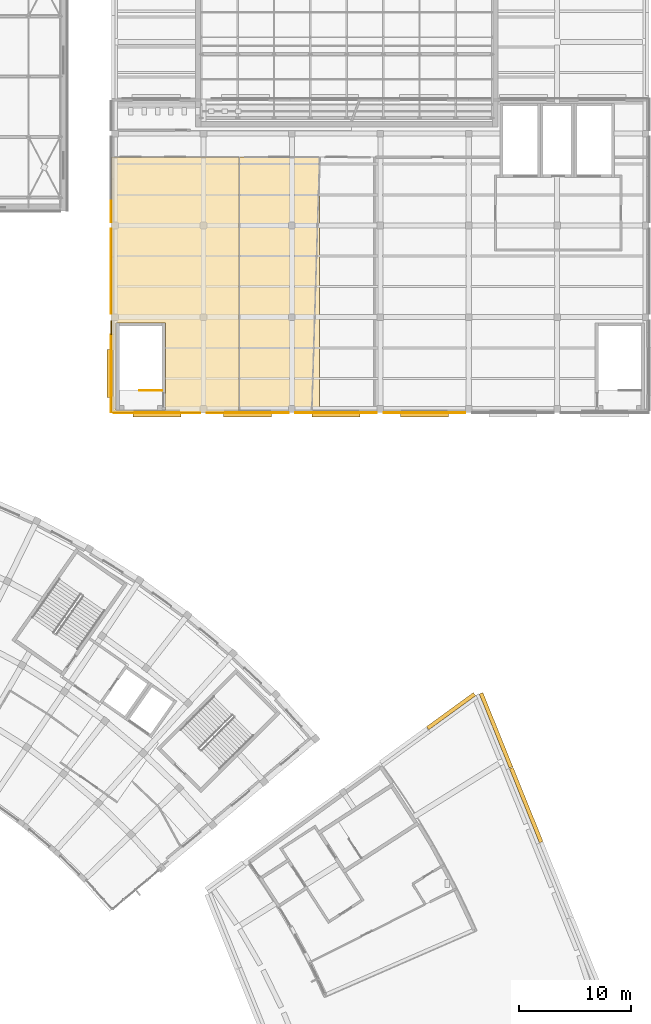
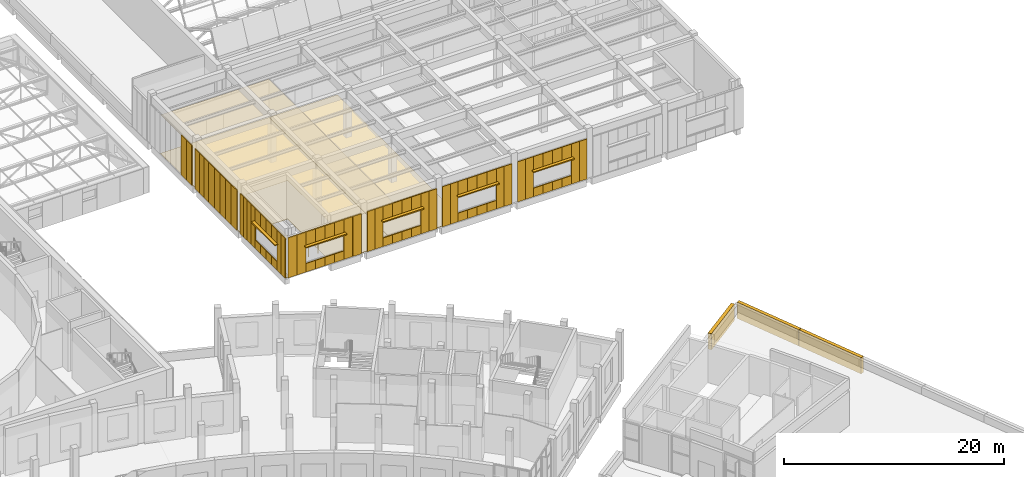
# One storey, part 128 of 132: 78 coverings, 5 shading devices, 1 railing.
"""IFC4 building model written with IfcOpenShell, lengths in metres."""

from ifc_helpers import new_model, si_unit, direction, frame, origin, origin_2d, place, context, subcontext, project, spatial, polyline, rectangle, circle, outline, extrude, material, layer, layer_set, type_object, element, save


model = new_model("IFC4")

# Units and contexts
model_context = context("Model", 3, precision=1e-05, world=origin(), true_north=direction((0.0, 1.0)))
body_context = subcontext(model_context, "Body", "Model", "MODEL_VIEW")
ifc_project = project(units=[si_unit("LENGTHUNIT", "METRE"), si_unit("AREAUNIT", "SQUARE_METRE"), si_unit("VOLUMEUNIT", "CUBIC_METRE"), si_unit("PLANEANGLEUNIT", "RADIAN"), si_unit("MASSUNIT", "GRAM", prefix="KILO")], contexts=[model_context])

# Site, building, storey
site_placement = place(None, origin())
site = spatial("IfcSite", under=ifc_project, at=site_placement, CompositionType="ELEMENT")
building_placement = place(site_placement, origin())
building = spatial("IfcBuilding", under=site, at=building_placement, Name="Lunette Opera House", CompositionType="ELEMENT")
storey_placement = place(building_placement, frame((0.0, 0.0, 17.0)))
storey = spatial("IfcBuildingStorey", under=building, at=storey_placement, Name="L03", CompositionType="ELEMENT", Elevation=17.0)

# Coverings
ifc_material_1 = material(Name="Dark grey aluminium cassette", Category="aluminium")
ifc_layer_1 = layer(ifc_material_1, 0.080078125)
ifc_layer_set_1 = layer_set([ifc_layer_1], Name="Dark grey aluminium cassette")
covering_type_1 = type_object("IfcCoveringType", Name="DARK METAL CASSETTE 80", PredefinedType="CLADDING", material=ifc_layer_set_1)
for number, where, z_axis, x_axis, name in (
    (1, (135.9599609375, 96.444091796875, 0.0), (0.0, 0.0, 1.0), (0.0, -1.0, 0.0), "Dark Metal Cassette 80 WK L03"),
    (2, (135.9599609375, 95.48095703125, 0.0), (0.0, 0.0, 1.0), (0.0, -1.0, 0.0), "Dark Metal Cassette 80 WK L03"),
):
    element("IfcCovering", number, at=place(storey_placement, frame(where, z_axis=z_axis, x_axis=x_axis)), inside=storey, type_object=covering_type_1, Name=name, PredefinedType="CLADDING", context=body_context, shape_type="SweptSolid", body=[
        extrude(rectangle(XDim=0.9619140625, YDim=0.080078125, at=origin_2d()), origin(), (0.0, 0.0, 1.0), 4.449951171875),
    ])
for number, where, z_axis, x_axis, name in (
    (3, (135.9599609375, 93.98291015625, 0.0), (0.0, 0.0, 1.0), (0.0, -1.0, 0.0), "Dark Metal Cassette 80 WK L03"),
    (4, (135.9599609375, 93.14990234375, 0.0), (0.0, 0.0, 1.0), (0.0, -1.0, 0.0), "Dark Metal Cassette 80 WK L03"),
    (5, (135.9599609375, 92.31689453125, 0.0), (0.0, 0.0, 1.0), (0.0, -1.0, 0.0), "Dark Metal Cassette 80 WK L03"),
):
    element("IfcCovering", number, at=place(storey_placement, frame(where, z_axis=z_axis, x_axis=x_axis)), inside=storey, type_object=covering_type_1, Name=name, PredefinedType="CLADDING", context=body_context, shape_type="SweptSolid", body=[
        extrude(rectangle(XDim=0.8330078125, YDim=0.080078125, at=origin_2d()), origin(), (0.0, 0.0, 1.0), 4.449951171875),
    ])
for number, where, z_axis, x_axis, name in (
    (6, (135.9599609375, 91.389892578125, 0.0), (0.0, 0.0, 1.0), (0.0, -1.0, 0.0), "Dark Metal Cassette 80 WK L03"),
    (7, (135.9599609375, 90.3701171875, 0.0), (0.0, 0.0, 1.0), (0.0, -1.0, 0.0), "Dark Metal Cassette 80 WK L03"),
    (8, (135.9599609375, 89.35009765625, 0.0), (0.0, 0.0, 1.0), (0.0, -1.0, 0.0), "Dark Metal Cassette 80 WK L03"),
    (9, (135.9599609375, 88.330078125, 0.0), (0.0, 0.0, 1.0), (0.0, -1.0, 0.0), "Dark Metal Cassette 80 WK L03"),
    (10, (135.9599609375, 87.31005859375, 0.0), (0.0, 0.0, 1.0), (0.0, -1.0, 0.0), "Dark Metal Cassette 80 WK L03"),
):
    element("IfcCovering", number, at=place(storey_placement, frame(where, z_axis=z_axis, x_axis=x_axis)), inside=storey, type_object=covering_type_1, Name=name, PredefinedType="CLADDING", context=body_context, shape_type="SweptSolid", body=[
        extrude(rectangle(XDim=1.02001953125, YDim=0.080078125, at=origin_2d()), origin(), (0.0, 0.0, 1.0), 4.449951171875),
    ])
for number, where, z_axis, x_axis, name in (
    (11, (135.9599609375, 85.887939453125, 0.0), (0.0, 0.0, 1.0), (0.0, -1.0, 0.0), "Dark Metal Cassette 80 WK L03"),
    (12, (135.9599609375, 85.262939453125, 0.0), (0.0, 0.0, 1.0), (0.0, -1.0, 0.0), "Dark Metal Cassette 80 WK L03"),
):
    element("IfcCovering", number, at=place(storey_placement, frame(where, z_axis=z_axis, x_axis=x_axis)), inside=storey, type_object=covering_type_1, Name=name, PredefinedType="CLADDING", context=body_context, shape_type="SweptSolid", body=[
        extrude(rectangle(XDim=0.625, YDim=0.080078125, at=origin_2d()), origin(), (0.0, 0.0, 1.0), 4.449951171875),
    ])
for number, where, z_axis, x_axis, name in (
    (13, (135.9599609375, 84.5810546875, 0.0), (0.0, 0.0, 1.0), (0.0, -1.0, 0.0), "Dark Metal Cassette 80 WK L03"),
    (14, (135.9599609375, 83.843994140625, 0.0), (0.0, 0.0, 1.0), (0.0, -1.0, 0.0), "Dark Metal Cassette 80 WK L03"),
):
    element("IfcCovering", number, at=place(storey_placement, frame(where, z_axis=z_axis, x_axis=x_axis)), inside=storey, type_object=covering_type_1, Name=name, PredefinedType="CLADDING", context=body_context, shape_type="SweptSolid", body=[
        extrude(rectangle(XDim=0.738037109375, YDim=0.080078125, at=origin_2d()), origin(), (0.0, 0.0, 1.0), 4.449951171875),
    ])
covering_1_placement = place(storey_placement, frame((135.9599609375, 82.97509765625, 0.0), z_axis=(0.0, 0.0, 1.0), x_axis=(0.0, -1.0, 0.0)))
element("IfcCovering", 15, at=covering_1_placement, inside=storey, type_object=covering_type_1, Name="Dark Metal Cassette 80 WK L03", PredefinedType="CLADDING", context=body_context, shape_type="SweptSolid", body=[
    extrude(rectangle(XDim=1.0, YDim=0.080078125, at=origin_2d()), origin(), (0.0, 0.0, 1.0), 0.949951171875),
])
covering_2_placement = place(storey_placement, frame((135.9599609375, 82.97509765625, 3.0), z_axis=(0.0, 0.0, 1.0), x_axis=(0.0, -1.0, 0.0)))
element("IfcCovering", 16, at=covering_2_placement, inside=storey, type_object=covering_type_1, Name="Dark Metal Cassette 80 WK L03", PredefinedType="CLADDING", context=body_context, shape_type="SweptSolid", body=[
    extrude(rectangle(XDim=1.0, YDim=0.080078125, at=origin_2d()), origin(), (0.0, 0.0, 1.0), 1.449951171875),
])
covering_3_placement = place(storey_placement, frame((135.9599609375, 81.97509765625, 0.0), z_axis=(0.0, 0.0, 1.0), x_axis=(0.0, -1.0, 0.0)))
element("IfcCovering", 17, at=covering_3_placement, inside=storey, type_object=covering_type_1, Name="Dark Metal Cassette 80 WK L03", PredefinedType="CLADDING", context=body_context, shape_type="SweptSolid", body=[
    extrude(rectangle(XDim=1.0, YDim=0.080078125, at=origin_2d()), origin(), (0.0, 0.0, 1.0), 0.949951171875),
])
covering_4_placement = place(storey_placement, frame((135.9599609375, 81.97509765625, 3.0), z_axis=(0.0, 0.0, 1.0), x_axis=(0.0, -1.0, 0.0)))
element("IfcCovering", 18, at=covering_4_placement, inside=storey, type_object=covering_type_1, Name="Dark Metal Cassette 80 WK L03", PredefinedType="CLADDING", context=body_context, shape_type="SweptSolid", body=[
    extrude(rectangle(XDim=1.0, YDim=0.080078125, at=origin_2d()), origin(), (0.0, 0.0, 1.0), 1.449951171875),
])
covering_5_placement = place(storey_placement, frame((135.9599609375, 80.97509765625, 0.0), z_axis=(0.0, 0.0, 1.0), x_axis=(0.0, -1.0, 0.0)))
element("IfcCovering", 19, at=covering_5_placement, inside=storey, type_object=covering_type_1, Name="Dark Metal Cassette 80 WK L03", PredefinedType="CLADDING", context=body_context, shape_type="SweptSolid", body=[
    extrude(rectangle(XDim=1.0, YDim=0.080078125, at=origin_2d()), origin(), (0.0, 0.0, 1.0), 0.949951171875),
])
covering_6_placement = place(storey_placement, frame((135.9599609375, 80.97509765625, 3.0), z_axis=(0.0, 0.0, 1.0), x_axis=(0.0, -1.0, 0.0)))
element("IfcCovering", 20, at=covering_6_placement, inside=storey, type_object=covering_type_1, Name="Dark Metal Cassette 80 WK L03", PredefinedType="CLADDING", context=body_context, shape_type="SweptSolid", body=[
    extrude(rectangle(XDim=1.0, YDim=0.080078125, at=origin_2d()), origin(), (0.0, 0.0, 1.0), 1.449951171875),
])
covering_7_placement = place(storey_placement, frame((135.9599609375, 79.97509765625, 0.0), z_axis=(0.0, 0.0, 1.0), x_axis=(0.0, -1.0, 0.0)))
element("IfcCovering", 21, at=covering_7_placement, inside=storey, type_object=covering_type_1, Name="Dark Metal Cassette 80 WK L03", PredefinedType="CLADDING", context=body_context, shape_type="SweptSolid", body=[
    extrude(rectangle(XDim=1.0, YDim=0.080078125, at=origin_2d()), origin(), (0.0, 0.0, 1.0), 0.949951171875),
])
covering_8_placement = place(storey_placement, frame((135.9599609375, 79.97509765625, 3.0), z_axis=(0.0, 0.0, 1.0), x_axis=(0.0, -1.0, 0.0)))
element("IfcCovering", 22, at=covering_8_placement, inside=storey, type_object=covering_type_1, Name="Dark Metal Cassette 80 WK L03", PredefinedType="CLADDING", context=body_context, shape_type="SweptSolid", body=[
    extrude(rectangle(XDim=1.0, YDim=0.080078125, at=origin_2d()), origin(), (0.0, 0.0, 1.0), 1.449951171875),
])
for number, where, z_axis, x_axis, name in (
    (23, (135.9599609375, 79.10595703125, 0.0), (0.0, 0.0, 1.0), (0.0, -1.0, 0.0), "Dark Metal Cassette 80 WK L03"),
    (24, (135.9599609375, 78.368896484375, 0.0), (0.0, 0.0, 1.0), (0.0, -1.0, 0.0), "Dark Metal Cassette 80 WK L03"),
):
    element("IfcCovering", number, at=place(storey_placement, frame(where, z_axis=z_axis, x_axis=x_axis)), inside=storey, type_object=covering_type_1, Name=name, PredefinedType="CLADDING", context=body_context, shape_type="SweptSolid", body=[
        extrude(rectangle(XDim=0.738037109375, YDim=0.080078125, at=origin_2d()), origin(), (0.0, 0.0, 1.0), 4.449951171875),
    ])
for number, where, z_axis, x_axis, name in (
    (25, (136.662109375, 77.9599609375, 0.0), (0.0, 0.0, 1.0), (1.0, 0.0, 0.0), "Dark Metal Cassette 80 WK L03"),
    (26, (137.5869140625, 77.9599609375, 0.0), (0.0, 0.0, 1.0), (1.0, 0.0, 0.0), "Dark Metal Cassette 80 WK L03"),
):
    element("IfcCovering", number, at=place(storey_placement, frame(where, z_axis=z_axis, x_axis=x_axis)), inside=storey, type_object=covering_type_1, Name=name, PredefinedType="CLADDING", context=body_context, shape_type="SweptSolid", body=[
        extrude(rectangle(XDim=0.925048828125, YDim=0.080078125, at=origin_2d()), origin(), (0.0, 0.0, 1.0), 4.449951171875),
    ])
covering_9_placement = place(storey_placement, frame((138.550048828125, 77.9599609375, 0.0), z_axis=(0.0, 0.0, 1.0), x_axis=(1.0, 0.0, 0.0)))
element("IfcCovering", 27, at=covering_9_placement, inside=storey, type_object=covering_type_1, Name="Dark Metal Cassette 80 WK L03", PredefinedType="CLADDING", context=body_context, shape_type="SweptSolid", body=[
    extrude(rectangle(XDim=1.0, YDim=0.080078125, at=origin_2d()), origin(), (0.0, 0.0, 1.0), 0.949951171875),
])
covering_10_placement = place(storey_placement, frame((138.550048828125, 77.9599609375, 3.0), z_axis=(0.0, 0.0, 1.0), x_axis=(1.0, 0.0, 0.0)))
element("IfcCovering", 28, at=covering_10_placement, inside=storey, type_object=covering_type_1, Name="Dark Metal Cassette 80 WK L03", PredefinedType="CLADDING", context=body_context, shape_type="SweptSolid", body=[
    extrude(rectangle(XDim=1.0, YDim=0.080078125, at=origin_2d()), origin(), (0.0, 0.0, 1.0), 1.449951171875),
])
covering_11_placement = place(storey_placement, frame((139.550048828125, 77.9599609375, 0.0), z_axis=(0.0, 0.0, 1.0), x_axis=(1.0, 0.0, 0.0)))
element("IfcCovering", 29, at=covering_11_placement, inside=storey, type_object=covering_type_1, Name="Dark Metal Cassette 80 WK L03", PredefinedType="CLADDING", context=body_context, shape_type="SweptSolid", body=[
    extrude(rectangle(XDim=1.0, YDim=0.080078125, at=origin_2d()), origin(), (0.0, 0.0, 1.0), 0.949951171875),
])
covering_12_placement = place(storey_placement, frame((139.550048828125, 77.9599609375, 3.0), z_axis=(0.0, 0.0, 1.0), x_axis=(1.0, 0.0, 0.0)))
element("IfcCovering", 30, at=covering_12_placement, inside=storey, type_object=covering_type_1, Name="Dark Metal Cassette 80 WK L03", PredefinedType="CLADDING", context=body_context, shape_type="SweptSolid", body=[
    extrude(rectangle(XDim=1.0, YDim=0.080078125, at=origin_2d()), origin(), (0.0, 0.0, 1.0), 1.449951171875),
])
covering_13_placement = place(storey_placement, frame((140.550048828125, 77.9599609375, 0.0), z_axis=(0.0, 0.0, 1.0), x_axis=(1.0, 0.0, 0.0)))
element("IfcCovering", 31, at=covering_13_placement, inside=storey, type_object=covering_type_1, Name="Dark Metal Cassette 80 WK L03", PredefinedType="CLADDING", context=body_context, shape_type="SweptSolid", body=[
    extrude(rectangle(XDim=1.0, YDim=0.080078125, at=origin_2d()), origin(), (0.0, 0.0, 1.0), 0.949951171875),
])
covering_14_placement = place(storey_placement, frame((140.550048828125, 77.9599609375, 3.0), z_axis=(0.0, 0.0, 1.0), x_axis=(1.0, 0.0, 0.0)))
element("IfcCovering", 32, at=covering_14_placement, inside=storey, type_object=covering_type_1, Name="Dark Metal Cassette 80 WK L03", PredefinedType="CLADDING", context=body_context, shape_type="SweptSolid", body=[
    extrude(rectangle(XDim=1.0, YDim=0.080078125, at=origin_2d()), origin(), (0.0, 0.0, 1.0), 1.449951171875),
])
covering_15_placement = place(storey_placement, frame((141.550048828125, 77.9599609375, 0.0), z_axis=(0.0, 0.0, 1.0), x_axis=(1.0, 0.0, 0.0)))
element("IfcCovering", 33, at=covering_15_placement, inside=storey, type_object=covering_type_1, Name="Dark Metal Cassette 80 WK L03", PredefinedType="CLADDING", context=body_context, shape_type="SweptSolid", body=[
    extrude(rectangle(XDim=1.0, YDim=0.080078125, at=origin_2d()), origin(), (0.0, 0.0, 1.0), 0.949951171875),
])
covering_16_placement = place(storey_placement, frame((141.550048828125, 77.9599609375, 3.0), z_axis=(0.0, 0.0, 1.0), x_axis=(1.0, 0.0, 0.0)))
element("IfcCovering", 34, at=covering_16_placement, inside=storey, type_object=covering_type_1, Name="Dark Metal Cassette 80 WK L03", PredefinedType="CLADDING", context=body_context, shape_type="SweptSolid", body=[
    extrude(rectangle(XDim=1.0, YDim=0.080078125, at=origin_2d()), origin(), (0.0, 0.0, 1.0), 1.449951171875),
])
for number, where, z_axis, x_axis, name in (
    (35, (142.511962890625, 77.9599609375, 0.0), (0.0, 0.0, 1.0), (1.0, 0.0, 0.0), "Dark Metal Cassette 80 WK L03"),
    (36, (143.43798828125, 77.9599609375, 0.0), (0.0, 0.0, 1.0), (1.0, 0.0, 0.0), "Dark Metal Cassette 80 WK L03"),
):
    element("IfcCovering", number, at=place(storey_placement, frame(where, z_axis=z_axis, x_axis=x_axis)), inside=storey, type_object=covering_type_1, Name=name, PredefinedType="CLADDING", context=body_context, shape_type="SweptSolid", body=[
        extrude(rectangle(XDim=0.925048828125, YDim=0.080078125, at=origin_2d()), origin(), (0.0, 0.0, 1.0), 4.449951171875),
    ])
for number, where, z_axis, x_axis, name in (
    (37, (144.912109375, 77.9599609375, 0.0), (0.0, 0.0, 1.0), (1.0, 0.0, 0.0), "Dark Metal Cassette 80 WK L03"),
    (38, (145.738037109375, 77.9599609375, 0.0), (0.0, 0.0, 1.0), (1.0, 0.0, 0.0), "Dark Metal Cassette 80 WK L03"),
):
    element("IfcCovering", number, at=place(storey_placement, frame(where, z_axis=z_axis, x_axis=x_axis)), inside=storey, type_object=covering_type_1, Name=name, PredefinedType="CLADDING", context=body_context, shape_type="SweptSolid", body=[
        extrude(rectangle(XDim=0.824951171875, YDim=0.080078125, at=origin_2d()), origin(), (0.0, 0.0, 1.0), 4.449951171875),
    ])
covering_17_placement = place(storey_placement, frame((146.64990234375, 77.9599609375, 0.0), z_axis=(0.0, 0.0, 1.0), x_axis=(1.0, 0.0, 0.0)))
element("IfcCovering", 39, at=covering_17_placement, inside=storey, type_object=covering_type_1, Name="Dark Metal Cassette 80 WK L03", PredefinedType="CLADDING", context=body_context, shape_type="SweptSolid", body=[
    extrude(rectangle(XDim=1.0, YDim=0.080078125, at=origin_2d()), origin(), (0.0, 0.0, 1.0), 0.949951171875),
])
covering_18_placement = place(storey_placement, frame((146.64990234375, 77.9599609375, 3.0), z_axis=(0.0, 0.0, 1.0), x_axis=(1.0, 0.0, 0.0)))
element("IfcCovering", 40, at=covering_18_placement, inside=storey, type_object=covering_type_1, Name="Dark Metal Cassette 80 WK L03", PredefinedType="CLADDING", context=body_context, shape_type="SweptSolid", body=[
    extrude(rectangle(XDim=1.0, YDim=0.080078125, at=origin_2d()), origin(), (0.0, 0.0, 1.0), 1.449951171875),
])
covering_19_placement = place(storey_placement, frame((147.64990234375, 77.9599609375, 0.0), z_axis=(0.0, 0.0, 1.0), x_axis=(1.0, 0.0, 0.0)))
element("IfcCovering", 41, at=covering_19_placement, inside=storey, type_object=covering_type_1, Name="Dark Metal Cassette 80 WK L03", PredefinedType="CLADDING", context=body_context, shape_type="SweptSolid", body=[
    extrude(rectangle(XDim=1.0, YDim=0.080078125, at=origin_2d()), origin(), (0.0, 0.0, 1.0), 0.949951171875),
])
covering_20_placement = place(storey_placement, frame((147.64990234375, 77.9599609375, 3.0), z_axis=(0.0, 0.0, 1.0), x_axis=(1.0, 0.0, 0.0)))
element("IfcCovering", 42, at=covering_20_placement, inside=storey, type_object=covering_type_1, Name="Dark Metal Cassette 80 WK L03", PredefinedType="CLADDING", context=body_context, shape_type="SweptSolid", body=[
    extrude(rectangle(XDim=1.0, YDim=0.080078125, at=origin_2d()), origin(), (0.0, 0.0, 1.0), 1.449951171875),
])
covering_21_placement = place(storey_placement, frame((148.64990234375, 77.9599609375, 0.0), z_axis=(0.0, 0.0, 1.0), x_axis=(1.0, 0.0, 0.0)))
element("IfcCovering", 43, at=covering_21_placement, inside=storey, type_object=covering_type_1, Name="Dark Metal Cassette 80 WK L03", PredefinedType="CLADDING", context=body_context, shape_type="SweptSolid", body=[
    extrude(rectangle(XDim=1.0, YDim=0.080078125, at=origin_2d()), origin(), (0.0, 0.0, 1.0), 0.949951171875),
])
covering_22_placement = place(storey_placement, frame((148.64990234375, 77.9599609375, 3.0), z_axis=(0.0, 0.0, 1.0), x_axis=(1.0, 0.0, 0.0)))
element("IfcCovering", 44, at=covering_22_placement, inside=storey, type_object=covering_type_1, Name="Dark Metal Cassette 80 WK L03", PredefinedType="CLADDING", context=body_context, shape_type="SweptSolid", body=[
    extrude(rectangle(XDim=1.0, YDim=0.080078125, at=origin_2d()), origin(), (0.0, 0.0, 1.0), 1.449951171875),
])
covering_23_placement = place(storey_placement, frame((149.64990234375, 77.9599609375, 0.0), z_axis=(0.0, 0.0, 1.0), x_axis=(1.0, 0.0, 0.0)))
element("IfcCovering", 45, at=covering_23_placement, inside=storey, type_object=covering_type_1, Name="Dark Metal Cassette 80 WK L03", PredefinedType="CLADDING", context=body_context, shape_type="SweptSolid", body=[
    extrude(rectangle(XDim=1.0, YDim=0.080078125, at=origin_2d()), origin(), (0.0, 0.0, 1.0), 0.949951171875),
])
covering_24_placement = place(storey_placement, frame((149.64990234375, 77.9599609375, 3.0), z_axis=(0.0, 0.0, 1.0), x_axis=(1.0, 0.0, 0.0)))
element("IfcCovering", 46, at=covering_24_placement, inside=storey, type_object=covering_type_1, Name="Dark Metal Cassette 80 WK L03", PredefinedType="CLADDING", context=body_context, shape_type="SweptSolid", body=[
    extrude(rectangle(XDim=1.0, YDim=0.080078125, at=origin_2d()), origin(), (0.0, 0.0, 1.0), 1.449951171875),
])
for number, where, z_axis, x_axis, name in (
    (47, (150.56201171875, 77.9599609375, 0.0), (0.0, 0.0, 1.0), (1.0, 0.0, 0.0), "Dark Metal Cassette 80 WK L03"),
    (48, (151.387939453125, 77.9599609375, 0.0), (0.0, 0.0, 1.0), (1.0, 0.0, 0.0), "Dark Metal Cassette 80 WK L03"),
    (49, (152.81201171875, 77.9599609375, 0.0), (0.0, 0.0, 1.0), (1.0, 0.0, 0.0), "Dark Metal Cassette 80 WK L03"),
    (50, (153.637939453125, 77.9599609375, 0.0), (0.0, 0.0, 1.0), (1.0, 0.0, 0.0), "Dark Metal Cassette 80 WK L03"),
):
    element("IfcCovering", number, at=place(storey_placement, frame(where, z_axis=z_axis, x_axis=x_axis)), inside=storey, type_object=covering_type_1, Name=name, PredefinedType="CLADDING", context=body_context, shape_type="SweptSolid", body=[
        extrude(rectangle(XDim=0.824951171875, YDim=0.080078125, at=origin_2d()), origin(), (0.0, 0.0, 1.0), 4.449951171875),
    ])
covering_25_placement = place(storey_placement, frame((154.550048828125, 77.9599609375, 0.0), z_axis=(0.0, 0.0, 1.0), x_axis=(1.0, 0.0, 0.0)))
element("IfcCovering", 51, at=covering_25_placement, inside=storey, type_object=covering_type_1, Name="Dark Metal Cassette 80 WK L03", PredefinedType="CLADDING", context=body_context, shape_type="SweptSolid", body=[
    extrude(rectangle(XDim=1.0, YDim=0.080078125, at=origin_2d()), origin(), (0.0, 0.0, 1.0), 0.949951171875),
])
covering_26_placement = place(storey_placement, frame((154.550048828125, 77.9599609375, 3.0), z_axis=(0.0, 0.0, 1.0), x_axis=(1.0, 0.0, 0.0)))
element("IfcCovering", 52, at=covering_26_placement, inside=storey, type_object=covering_type_1, Name="Dark Metal Cassette 80 WK L03", PredefinedType="CLADDING", context=body_context, shape_type="SweptSolid", body=[
    extrude(rectangle(XDim=1.0, YDim=0.080078125, at=origin_2d()), origin(), (0.0, 0.0, 1.0), 1.449951171875),
])
covering_27_placement = place(storey_placement, frame((155.550048828125, 77.9599609375, 0.0), z_axis=(0.0, 0.0, 1.0), x_axis=(1.0, 0.0, 0.0)))
element("IfcCovering", 53, at=covering_27_placement, inside=storey, type_object=covering_type_1, Name="Dark Metal Cassette 80 WK L03", PredefinedType="CLADDING", context=body_context, shape_type="SweptSolid", body=[
    extrude(rectangle(XDim=1.0, YDim=0.080078125, at=origin_2d()), origin(), (0.0, 0.0, 1.0), 0.949951171875),
])
covering_28_placement = place(storey_placement, frame((155.550048828125, 77.9599609375, 3.0), z_axis=(0.0, 0.0, 1.0), x_axis=(1.0, 0.0, 0.0)))
element("IfcCovering", 54, at=covering_28_placement, inside=storey, type_object=covering_type_1, Name="Dark Metal Cassette 80 WK L03", PredefinedType="CLADDING", context=body_context, shape_type="SweptSolid", body=[
    extrude(rectangle(XDim=1.0, YDim=0.080078125, at=origin_2d()), origin(), (0.0, 0.0, 1.0), 1.449951171875),
])
covering_29_placement = place(storey_placement, frame((156.550048828125, 77.9599609375, 0.0), z_axis=(0.0, 0.0, 1.0), x_axis=(1.0, 0.0, 0.0)))
element("IfcCovering", 55, at=covering_29_placement, inside=storey, type_object=covering_type_1, Name="Dark Metal Cassette 80 WK L03", PredefinedType="CLADDING", context=body_context, shape_type="SweptSolid", body=[
    extrude(rectangle(XDim=1.0, YDim=0.080078125, at=origin_2d()), origin(), (0.0, 0.0, 1.0), 0.949951171875),
])
covering_30_placement = place(storey_placement, frame((156.550048828125, 77.9599609375, 3.0), z_axis=(0.0, 0.0, 1.0), x_axis=(1.0, 0.0, 0.0)))
element("IfcCovering", 56, at=covering_30_placement, inside=storey, type_object=covering_type_1, Name="Dark Metal Cassette 80 WK L03", PredefinedType="CLADDING", context=body_context, shape_type="SweptSolid", body=[
    extrude(rectangle(XDim=1.0, YDim=0.080078125, at=origin_2d()), origin(), (0.0, 0.0, 1.0), 1.449951171875),
])
covering_31_placement = place(storey_placement, frame((157.550048828125, 77.9599609375, 0.0), z_axis=(0.0, 0.0, 1.0), x_axis=(1.0, 0.0, 0.0)))
element("IfcCovering", 57, at=covering_31_placement, inside=storey, type_object=covering_type_1, Name="Dark Metal Cassette 80 WK L03", PredefinedType="CLADDING", context=body_context, shape_type="SweptSolid", body=[
    extrude(rectangle(XDim=1.0, YDim=0.080078125, at=origin_2d()), origin(), (0.0, 0.0, 1.0), 0.949951171875),
])
covering_32_placement = place(storey_placement, frame((157.550048828125, 77.9599609375, 3.0), z_axis=(0.0, 0.0, 1.0), x_axis=(1.0, 0.0, 0.0)))
element("IfcCovering", 58, at=covering_32_placement, inside=storey, type_object=covering_type_1, Name="Dark Metal Cassette 80 WK L03", PredefinedType="CLADDING", context=body_context, shape_type="SweptSolid", body=[
    extrude(rectangle(XDim=1.0, YDim=0.080078125, at=origin_2d()), origin(), (0.0, 0.0, 1.0), 1.449951171875),
])
for number, where, z_axis, x_axis, name in (
    (59, (158.462890625, 77.9599609375, 0.0), (0.0, 0.0, 1.0), (1.0, 0.0, 0.0), "Dark Metal Cassette 80 WK L03"),
    (60, (159.287109375, 77.9599609375, 0.0), (0.0, 0.0, 1.0), (1.0, 0.0, 0.0), "Dark Metal Cassette 80 WK L03"),
    (61, (160.712890625, 77.9599609375, 0.0), (0.0, 0.0, 1.0), (1.0, 0.0, 0.0), "Dark Metal Cassette 80 WK L03"),
    (62, (161.5380859375, 77.9599609375, 0.0), (0.0, 0.0, 1.0), (1.0, 0.0, 0.0), "Dark Metal Cassette 80 WK L03"),
):
    element("IfcCovering", number, at=place(storey_placement, frame(where, z_axis=z_axis, x_axis=x_axis)), inside=storey, type_object=covering_type_1, Name=name, PredefinedType="CLADDING", context=body_context, shape_type="SweptSolid", body=[
        extrude(rectangle(XDim=0.824951171875, YDim=0.080078125, at=origin_2d()), origin(), (0.0, 0.0, 1.0), 4.449951171875),
    ])
covering_33_placement = place(storey_placement, frame((162.449951171875, 77.9599609375, 0.0), z_axis=(0.0, 0.0, 1.0), x_axis=(1.0, 0.0, 0.0)))
element("IfcCovering", 63, at=covering_33_placement, inside=storey, type_object=covering_type_1, Name="Dark Metal Cassette 80 WK L03", PredefinedType="CLADDING", context=body_context, shape_type="SweptSolid", body=[
    extrude(rectangle(XDim=1.0, YDim=0.080078125, at=origin_2d()), origin(), (0.0, 0.0, 1.0), 0.949951171875),
])
covering_34_placement = place(storey_placement, frame((162.449951171875, 77.9599609375, 3.0), z_axis=(0.0, 0.0, 1.0), x_axis=(1.0, 0.0, 0.0)))
element("IfcCovering", 64, at=covering_34_placement, inside=storey, type_object=covering_type_1, Name="Dark Metal Cassette 80 WK L03", PredefinedType="CLADDING", context=body_context, shape_type="SweptSolid", body=[
    extrude(rectangle(XDim=1.0, YDim=0.080078125, at=origin_2d()), origin(), (0.0, 0.0, 1.0), 1.449951171875),
])
covering_35_placement = place(storey_placement, frame((163.449951171875, 77.9599609375, 0.0), z_axis=(0.0, 0.0, 1.0), x_axis=(1.0, 0.0, 0.0)))
element("IfcCovering", 65, at=covering_35_placement, inside=storey, type_object=covering_type_1, Name="Dark Metal Cassette 80 WK L03", PredefinedType="CLADDING", context=body_context, shape_type="SweptSolid", body=[
    extrude(rectangle(XDim=1.0, YDim=0.080078125, at=origin_2d()), origin(), (0.0, 0.0, 1.0), 0.949951171875),
])
covering_36_placement = place(storey_placement, frame((163.449951171875, 77.9599609375, 3.0), z_axis=(0.0, 0.0, 1.0), x_axis=(1.0, 0.0, 0.0)))
element("IfcCovering", 66, at=covering_36_placement, inside=storey, type_object=covering_type_1, Name="Dark Metal Cassette 80 WK L03", PredefinedType="CLADDING", context=body_context, shape_type="SweptSolid", body=[
    extrude(rectangle(XDim=1.0, YDim=0.080078125, at=origin_2d()), origin(), (0.0, 0.0, 1.0), 1.449951171875),
])
covering_37_placement = place(storey_placement, frame((164.449951171875, 77.9599609375, 0.0), z_axis=(0.0, 0.0, 1.0), x_axis=(1.0, 0.0, 0.0)))
element("IfcCovering", 67, at=covering_37_placement, inside=storey, type_object=covering_type_1, Name="Dark Metal Cassette 80 WK L03", PredefinedType="CLADDING", context=body_context, shape_type="SweptSolid", body=[
    extrude(rectangle(XDim=1.0, YDim=0.080078125, at=origin_2d()), origin(), (0.0, 0.0, 1.0), 0.949951171875),
])
covering_38_placement = place(storey_placement, frame((164.449951171875, 77.9599609375, 3.0), z_axis=(0.0, 0.0, 1.0), x_axis=(1.0, 0.0, 0.0)))
element("IfcCovering", 68, at=covering_38_placement, inside=storey, type_object=covering_type_1, Name="Dark Metal Cassette 80 WK L03", PredefinedType="CLADDING", context=body_context, shape_type="SweptSolid", body=[
    extrude(rectangle(XDim=1.0, YDim=0.080078125, at=origin_2d()), origin(), (0.0, 0.0, 1.0), 1.449951171875),
])
covering_39_placement = place(storey_placement, frame((165.449951171875, 77.9599609375, 0.0), z_axis=(0.0, 0.0, 1.0), x_axis=(1.0, 0.0, 0.0)))
element("IfcCovering", 69, at=covering_39_placement, inside=storey, type_object=covering_type_1, Name="Dark Metal Cassette 80 WK L03", PredefinedType="CLADDING", context=body_context, shape_type="SweptSolid", body=[
    extrude(rectangle(XDim=1.0, YDim=0.080078125, at=origin_2d()), origin(), (0.0, 0.0, 1.0), 0.949951171875),
])
covering_40_placement = place(storey_placement, frame((165.449951171875, 77.9599609375, 3.0), z_axis=(0.0, 0.0, 1.0), x_axis=(1.0, 0.0, 0.0)))
element("IfcCovering", 70, at=covering_40_placement, inside=storey, type_object=covering_type_1, Name="Dark Metal Cassette 80 WK L03", PredefinedType="CLADDING", context=body_context, shape_type="SweptSolid", body=[
    extrude(rectangle(XDim=1.0, YDim=0.080078125, at=origin_2d()), origin(), (0.0, 0.0, 1.0), 1.449951171875),
])
for number, where, z_axis, x_axis, name in (
    (71, (166.363037109375, 77.9599609375, 0.0), (0.0, 0.0, 1.0), (1.0, 0.0, 0.0), "Dark Metal Cassette 80 WK L03"),
    (72, (167.18798828125, 77.9599609375, 0.0), (0.0, 0.0, 1.0), (1.0, 0.0, 0.0), "Dark Metal Cassette 80 WK L03"),
):
    element("IfcCovering", number, at=place(storey_placement, frame(where, z_axis=z_axis, x_axis=x_axis)), inside=storey, type_object=covering_type_1, Name=name, PredefinedType="CLADDING", context=body_context, shape_type="SweptSolid", body=[
        extrude(rectangle(XDim=0.824951171875, YDim=0.080078125, at=origin_2d()), origin(), (0.0, 0.0, 1.0), 4.449951171875),
    ])

# Railing
ifc_material_2 = material(Name="Steel S355", Category="steel")
railing_type = type_object("IfcRailingType", Name="STAIR GUARD 1100", PredefinedType="GUARDRAIL", material=ifc_material_2)
railing_placement = place(storey_placement, frame((140.5, 79.949951171875, 0.0)))
element("IfcRailing", 73, at=railing_placement, inside=storey, type_object=railing_type, Name="L03 ST18 top well guard 1", PredefinedType="GUARDRAIL", context=body_context, shape_type="SweptSolid", body=[
    extrude(circle(Radius=0.02392578125, at=origin_2d()), frame((0.0, 0.0, 1.076171875), z_axis=(-1.0, 0.0, 0.0), x_axis=(0.0, -1.0, 0.0)), (0.0, 0.0, 1.0), 2.0),
    extrude(circle(Radius=0.02099609375, at=origin_2d()), origin(), (0.0, 0.0, 1.0), 1.052001953125),
    extrude(circle(Radius=0.02099609375, at=origin_2d()), frame((-1.0, 0.0, 0.0)), (0.0, 0.0, 1.0), 1.052001953125),
    extrude(circle(Radius=0.02099609375, at=origin_2d()), frame((-2.0, 0.0, 0.0)), (0.0, 0.0, 1.0), 1.052001953125),
])

# Coverings
ifc_material_3 = material(Name="Mineral fibre board")
ifc_layer_2 = layer(ifc_material_3, 0.014892578125)
ifc_layer_set_2 = layer_set([ifc_layer_2], Name="Mineral fibre board")
covering_type_2 = type_object("IfcCoveringType", Name="SUSPENDED ACOUSTIC CEILING 15", PredefinedType="CEILING", material=ifc_layer_set_2)
covering_41_placement = place(storey_placement, frame((0.0, 0.0, 4.284912109375)))
element("IfcCovering", 74, at=covering_41_placement, inside=storey, type_object=covering_type_2, Name="Ceiling Scenery Drawing Office", PredefinedType="CEILING", context=body_context, shape_type="SweptSolid", body=[
    extrude(outline(polyline([(136.0, 100.800048828125), (147.386962890625, 100.800048828125), (147.386962890625, 78.0), (136.0, 78.0), (136.0, 100.800048828125)]), holes=[polyline([(136.39990234375, 78.199951171875), (140.800048828125, 78.199951171875), (140.800048828125, 86.0), (136.39990234375, 86.0), (136.39990234375, 78.199951171875)])]), origin(), (0.0, 0.0, 1.0), 0.01513671875),
])
ifc_material_4 = material(Name="Timber", Category="wood")
ifc_layer_3 = layer(ifc_material_4, 0.0400390625)
ifc_layer_set_3 = layer_set([ifc_layer_3], Name="Timber")
covering_type_3 = type_object("IfcCoveringType", Name="TIMBER FLOOR FINISH 40", PredefinedType="FLOORING", material=ifc_layer_set_3)
covering_42_placement = place(storey_placement, origin())
element("IfcCovering", 75, at=covering_42_placement, inside=storey, type_object=covering_type_3, Name="Floor finish Scenery Drawing Office", PredefinedType="FLOORING", context=body_context, shape_type="SweptSolid", body=[
    extrude(outline(polyline([(136.0, 100.800048828125), (147.386962890625, 100.800048828125), (147.386962890625, 78.0), (136.0, 78.0), (136.0, 100.800048828125)]), holes=[polyline([(136.39990234375, 78.199951171875), (140.800048828125, 78.199951171875), (140.800048828125, 86.0), (136.39990234375, 86.0), (136.39990234375, 78.199951171875)])]), origin(), (0.0, 0.0, 1.0), 0.0400390625),
])
covering_43_placement = place(storey_placement, origin())
element("IfcCovering", 76, at=covering_43_placement, inside=storey, type_object=covering_type_3, Name="Floor finish Pattern Cutting Studio", PredefinedType="FLOORING", context=body_context, shape_type="SweptSolid", body=[
    extrude(outline(polyline([(147.386962890625, 78.0), (147.386962890625, 100.800048828125), (154.573974609375, 100.800048828125), (154.573974609375, 78.0), (147.386962890625, 78.0)])), origin(), (0.0, 0.0, 1.0), 0.0400390625),
])

# Shading devices
ifc_material_5 = material(Name="Powder-coated aluminium", Category="aluminium")
ifc_layer_4 = layer(ifc_material_5, 0.1201171875)
ifc_layer_set_4 = layer_set([ifc_layer_4], Name="Powder-coated aluminium")
shading_device_type = type_object("IfcShadingDeviceType", Name="WINDOW HOOD 400 X 4300", PredefinedType="USERDEFINED", material=ifc_layer_set_4)
for number, where, z_axis, x_axis, name in (
    (77, (135.800048828125, 81.47509765625, 2.8798828125), (0.0, 0.0, 1.0), (-1.0, 0.0, 0.0), "Window hood WW-N2039"),
    (78, (140.050048828125, 77.800048828125, 2.8798828125), (0.0, 0.0, 1.0), (0.0, -1.0, 0.0), "Window hood WW-N2040"),
    (79, (148.14990234375, 77.800048828125, 2.8798828125), (0.0, 0.0, 1.0), (0.0, -1.0, 0.0), "Window hood WW-N2041"),
    (80, (156.050048828125, 77.800048828125, 2.8798828125), (0.0, 0.0, 1.0), (0.0, -1.0, 0.0), "Window hood WW-N2042"),
    (81, (163.949951171875, 77.800048828125, 2.8798828125), (0.0, 0.0, 1.0), (0.0, -1.0, 0.0), "Window hood WW-N2043"),
):
    element("IfcShadingDevice", number, at=place(storey_placement, frame(where, z_axis=z_axis, x_axis=x_axis)), inside=storey, type_object=shading_device_type, Name=name, ObjectType="WINDOW HOOD", PredefinedType="USERDEFINED", context=body_context, shape_type="SweptSolid", body=[
        extrude(rectangle(XDim=0.39990234375, YDim=4.300048828125, at=origin_2d()), origin(), (0.0, 0.0, 1.0), 0.1201171875),
    ])

# Coverings
ifc_material_6 = material(Name="Zinc standing seam cladding")
ifc_layer_5 = layer(ifc_material_6, 0.35009765625)
ifc_layer_set_5 = layer_set([ifc_layer_5], Name="Zinc standing seam cladding")
covering_type_4 = type_object("IfcCoveringType", Name="ZINC ROOF FASCIA 350", PredefinedType="CLADDING", material=ifc_layer_set_5)
for number, where, z_axis, x_axis, name in (
    (82, (173.031982421875, 42.923095703125, -0.7001953125), (0.0, 0.0, 1.0), (-0.374624393999, 0.927176662466, 0.0), "Studio roof fascia"),
    (83, (170.3369140625, 49.593017578125, -0.7001953125), (0.0, 0.0, 1.0), (-0.374504641962, 0.927225039108, 0.0), "Studio roof fascia"),
):
    element("IfcCovering", number, at=place(storey_placement, frame(where, z_axis=z_axis, x_axis=x_axis)), inside=storey, type_object=covering_type_4, Name=name, PredefinedType="CLADDING", context=body_context, shape_type="SweptSolid", body=[
        extrude(rectangle(XDim=7.14404296875, YDim=0.35009765625, at=origin_2d()), origin(), (0.0, 0.0, 1.0), 1.800048828125),
    ])
covering_44_placement = place(storey_placement, frame((166.321044921875, 51.306884765625, -0.7001953125), z_axis=(0.0, 0.0, 1.0), x_axis=(-0.808876425854, -0.587978679628, 0.0)))
element("IfcCovering", 84, at=covering_44_placement, inside=storey, type_object=covering_type_4, Name="Studio roof fascia", PredefinedType="CLADDING", context=body_context, shape_type="SweptSolid", body=[
    extrude(rectangle(XDim=5.169921875, YDim=0.35009765625, at=origin_2d()), origin(), (0.0, 0.0, 1.0), 1.800048828125),
])

save(model, "model.ifc")
